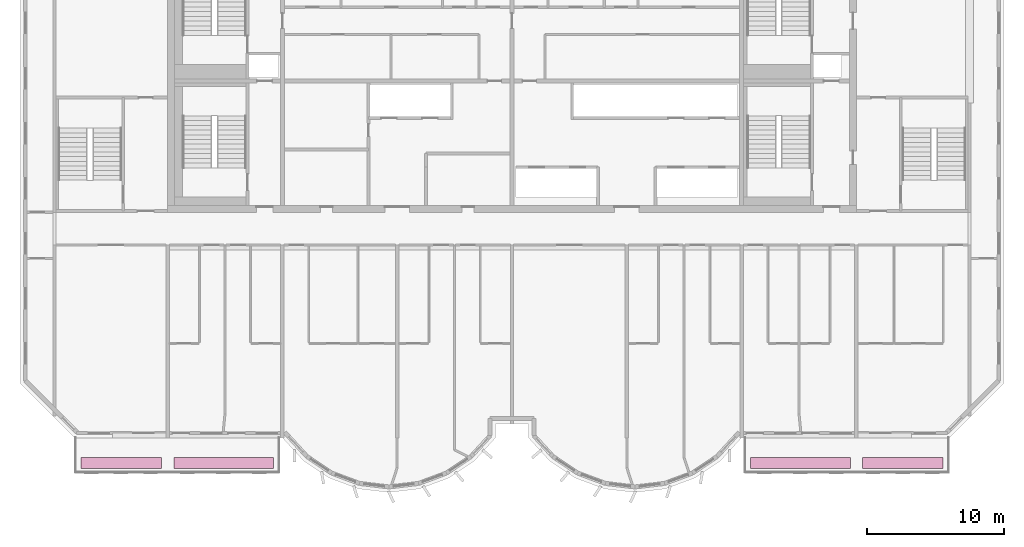
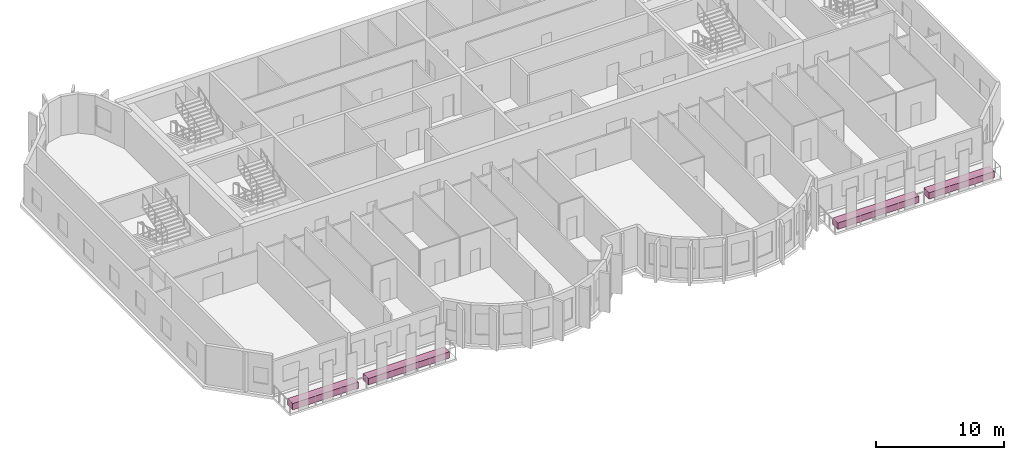
# One storey, part 11 of 11: 4 furniture elements.
"""IFC4 building model written with IfcOpenShell, lengths in metres."""

import ifcopenshell
import ifcopenshell.guid

model = None  # the IFC model being written
_history = None  # IfcOwnerHistory: only IFC2X3 demands one
_inside = {}  # id of a spatial element -> (the spatial element, [elements in it])
_under = {}  # id of a project, library or spatial element -> (it, [spatial elements below it])
_declared = {}  # id of a project -> (the project, [libraries it declares])
_typed = {}  # id of a type object -> (the type object, [elements of that type])
_made_of = {}  # id of a material, layer set ... -> (it, [elements and type objects made of it])


def new_model(schema):
    """Start an empty IFC model of exactly this schema.

    Asked for "IFC4X3", IfcOpenShell would pick the latest addendum, in which some entities
    have other attributes; the version numbers below select the first issue.
    IFC2X3 requires an IfcOwnerHistory on every rooted entity: one is made here for all.
    """
    global model, _history
    if schema == "IFC4X3":
        model = ifcopenshell.file(schema_version=(4, 3, 0, 0))
    else:
        model = ifcopenshell.file(schema=schema)
    _inside.clear()
    _under.clear()
    _declared.clear()
    _typed.clear()
    _made_of.clear()
    _history = None
    if model.schema == "IFC2X3":
        org = make("IfcOrganization", Name="unknown")
        user = make(
            "IfcPersonAndOrganization",
            ThePerson=make("IfcPerson", FamilyName="unknown"),
            TheOrganization=org,
        )
        app = make(
            "IfcApplication",
            ApplicationDeveloper=org,
            Version="unknown",
            ApplicationFullName="unknown",
            ApplicationIdentifier="unknown",
        )
        _history = make(
            "IfcOwnerHistory",
            OwningUser=user,
            OwningApplication=app,
            ChangeAction="ADDED",
            CreationDate=0,
        )
    return model


def make(cls, **values):
    """One entity of the class cls with the attributes given. An attribute that is None is left unset."""
    return model.create_entity(
        cls, **{name: value for name, value in values.items() if value is not None}
    )


def rooted(cls, **values):
    """An entity with a GlobalId (a new one), such as an element, a storey or a relation."""
    return make(cls, GlobalId=ifcopenshell.guid.new(), OwnerHistory=_history, **values)


def si_unit(unit_type, name, prefix=None):
    """IfcSIUnit, for example si_unit("LENGTHUNIT", "METRE", prefix="MILLI")."""
    return make("IfcSIUnit", UnitType=unit_type, Prefix=prefix, Name=name)


def assignment(units):
    """IfcUnitAssignment: the units of a project."""
    return None if units is None else make("IfcUnitAssignment", Units=units)


def point(xyz):
    """IfcCartesianPoint."""
    return None if xyz is None else make("IfcCartesianPoint", Coordinates=xyz)


def direction(xyz):
    """IfcDirection."""
    return None if xyz is None else make("IfcDirection", DirectionRatios=xyz)


def frame(location, z_axis=None, x_axis=None):
    """IfcAxis2Placement3D, a coordinate frame: its origin and axes. An axis left out is left unset."""
    return make(
        "IfcAxis2Placement3D",
        Location=point(location),
        Axis=direction(z_axis),
        RefDirection=direction(x_axis),
    )


def frame_2d(location, x_axis=None):
    """IfcAxis2Placement2D, a coordinate frame in the plane: its origin and x axis."""
    return make(
        "IfcAxis2Placement2D", Location=point(location), RefDirection=direction(x_axis)
    )


def origin():
    """The frame at (0, 0, 0) with its axes left unset."""
    return frame((0.0, 0.0, 0.0))


def origin_2d():
    """The frame at (0, 0) in the plane with its x axis left unset."""
    return frame_2d((0.0, 0.0))


def place(relative_to, where):
    """IfcLocalPlacement: puts the frame where relative to a parent placement (None: the world)."""
    return make(
        "IfcLocalPlacement", PlacementRelTo=relative_to, RelativePlacement=where
    )


def context(
    kind, dimensions, precision=None, world=None, true_north=None, identifier=None
):
    """IfcGeometricRepresentationContext, for example the 3D "Model" context."""
    return make(
        "IfcGeometricRepresentationContext",
        ContextIdentifier=identifier,
        ContextType=kind,
        CoordinateSpaceDimension=dimensions,
        Precision=precision,
        WorldCoordinateSystem=world,
        TrueNorth=true_north,
    )


def subcontext(parent, identifier, kind, view, scale=None):
    """IfcGeometricRepresentationSubContext, for example "Body" below "Model"."""
    return make(
        "IfcGeometricRepresentationSubContext",
        ContextIdentifier=identifier,
        ContextType=kind,
        ParentContext=parent,
        TargetScale=scale,
        TargetView=view,
    )


def project(units=None, contexts=None):
    """IfcProject with its units and contexts."""
    return rooted(
        "IfcProject",
        Name="project",
        RepresentationContexts=contexts,
        UnitsInContext=assignment(units),
    )


def spatial(cls, under=None, at=None, **own):
    """A site, building, storey or space (cls), placed at a placement, below another one or the project."""
    s = rooted(cls, ObjectPlacement=at, **own)
    if under is not None:
        _under.setdefault(under.id(), (under, []))[1].append(s)
    return s


def profile(cls, at=None, kind="AREA", **sizes):
    """A parametric profile (cls). Its sizes go by their IFC names, for example OverallWidth=200.0."""
    return make(cls, ProfileType=kind, Position=at, **sizes)


def rectangle(**sizes):
    """IfcRectangleProfileDef."""
    return profile("IfcRectangleProfileDef", **sizes)


def extrude(swept, where, along, depth):
    """IfcExtrudedAreaSolid: the profile swept, set in the frame where, extruded along a direction by depth."""
    return make(
        "IfcExtrudedAreaSolid",
        SweptArea=swept,
        Position=where,
        ExtrudedDirection=direction(along),
        Depth=depth,
    )


def shape(context_of_items, identifier, shape_type, items):
    """IfcShapeRepresentation: the items that make up one representation, for example the "Body"."""
    return make(
        "IfcShapeRepresentation",
        ContextOfItems=context_of_items,
        RepresentationIdentifier=identifier,
        RepresentationType=shape_type,
        Items=items,
    )


def source(mapping_origin, context_of_items, identifier, shape_type, items):
    """IfcRepresentationMap: a shape defined once, which mapped items show again and again."""
    return make(
        "IfcRepresentationMap",
        MappingOrigin=mapping_origin,
        MappedRepresentation=shape(context_of_items, identifier, shape_type, items),
    )


def transform(
    local_origin,
    x_axis=None,
    y_axis=None,
    z_axis=None,
    scale=None,
    scale2=None,
    scale3=None,
    uniform=True,
):
    """IfcCartesianTransformationOperator3D, or its non-uniform kind. x_axis, y_axis, z_axis: its Axis1, 2, 3."""
    if uniform:
        return make(
            "IfcCartesianTransformationOperator3D",
            Axis1=direction(x_axis),
            Axis2=direction(y_axis),
            LocalOrigin=point(local_origin),
            Scale=scale,
            Axis3=direction(z_axis),
        )
    return make(
        "IfcCartesianTransformationOperator3DnonUniform",
        Axis1=direction(x_axis),
        Axis2=direction(y_axis),
        LocalOrigin=point(local_origin),
        Scale=scale,
        Axis3=direction(z_axis),
        Scale2=scale2,
        Scale3=scale3,
    )


def mapped(mapping_source, mapping_target):
    """IfcMappedItem: shows the shape of a source again, moved by a transform."""
    return make(
        "IfcMappedItem", MappingSource=mapping_source, MappingTarget=mapping_target
    )


def material(Name=None, Category=None):
    """IfcMaterial."""
    return make("IfcMaterial", Name=Name, Category=Category)


def made_of(thing, what):
    """Note that an element or type object is made of a material, layer set ...; save() writes the relation."""
    if what is not None:
        _made_of.setdefault(what.id(), (what, []))[1].append(thing)
    return thing


def type_object(cls, material=None, **own):
    """A type object (cls), such as IfcWallType, which elements share."""
    return made_of(rooted(cls, **own), material)


def element(
    cls,
    number,
    at=None,
    inside=None,
    cuts=None,
    type_object=None,
    material=None,
    context=None,
    identifier="Body",
    shape_type=None,
    held_by="IfcProductDefinitionShape",
    body=None,
    shapes=None,
    **own,
):
    """One element of the class cls, such as IfcWall. Its Tag is "e" and its number.

    at: its placement. inside: the storey or other place that contains it. cuts: it is an
    opening in that element (IfcRelVoidsElement). A single representation is given by context,
    identifier, shape_type and body (its items); several are given by shapes. held_by: the class
    of the entity that holds the representations. save() writes the other relations.
    """
    e = rooted(cls, Tag="e%d" % number, ObjectPlacement=at, **own)
    if body is not None:
        shapes = [shape(context, identifier, shape_type, body)]
    if shapes is not None:
        e.Representation = make(held_by, Representations=shapes)
    if inside is not None:
        _inside.setdefault(inside.id(), (inside, []))[1].append(e)
    if cuts is not None:
        rooted(
            "IfcRelVoidsElement", RelatingBuildingElement=cuts, RelatedOpeningElement=e
        )
    if type_object is not None:
        _typed.setdefault(type_object.id(), (type_object, []))[1].append(e)
    return made_of(e, material)


def aggregate(whole, parts):
    """IfcRelAggregates: a whole, such as a stair, and the parts it consists of."""
    return rooted("IfcRelAggregates", RelatingObject=whole, RelatedObjects=parts)


def save(model, path):
    """Write the relations noted so far, then the file.

    IfcRelAggregates (storeys below a building ...), IfcRelContainedInSpatialStructure (elements
    in a storey), IfcRelDefinesByType, IfcRelAssociatesMaterial and IfcRelDeclares: one each for
    every whole, place, type object, material and project.
    """
    for whole, parts in _under.values():
        aggregate(whole, parts)
    for where, things in _inside.values():
        rooted(
            "IfcRelContainedInSpatialStructure",
            RelatedElements=things,
            RelatingStructure=where,
        )
    for kind, things in _typed.values():
        rooted("IfcRelDefinesByType", RelatedObjects=things, RelatingType=kind)
    for what, things in _made_of.values():
        rooted("IfcRelAssociatesMaterial", RelatedObjects=things, RelatingMaterial=what)
    for by, libraries in _declared.values():
        rooted("IfcRelDeclares", RelatingContext=by, RelatedDefinitions=libraries)
    model.write(path)


model = new_model("IFC4")

# Units and contexts
model_context = context("Model", 3, precision=1e-05, world=origin(), true_north=direction((0.0, 1.0)))
body_context = subcontext(model_context, "Body", "Model", "MODEL_VIEW")
ifc_project = project(units=[si_unit("LENGTHUNIT", "METRE"), si_unit("AREAUNIT", "SQUARE_METRE"), si_unit("VOLUMEUNIT", "CUBIC_METRE"), si_unit("PLANEANGLEUNIT", "RADIAN"), si_unit("MASSUNIT", "GRAM", prefix="KILO")], contexts=[model_context])

# Site, building, storey
site_placement = place(None, origin())
site = spatial("IfcSite", under=ifc_project, at=site_placement, CompositionType="ELEMENT")
building_placement = place(site_placement, origin())
building = spatial("IfcBuilding", under=site, at=building_placement, Name="Vanashikhar Sky Hotel", CompositionType="ELEMENT")
storey_placement = place(building_placement, frame((0.0, 0.0, 305.699951171875)))
storey = spatial("IfcBuildingStorey", under=building, at=storey_placement, Name="L73", CompositionType="ELEMENT", Elevation=305.699951171875)

# Furniture
ifc_material = material(Name="Planting soil and shrubs")
furniture_type = type_object("IfcFurnitureType", Name="Planter trough", AssemblyPlace="NOTDEFINED", PredefinedType="USERDEFINED", material=ifc_material)
shared_shape_1 = source(origin(), body_context, "Body", "SweptSolid", [
    extrude(rectangle(XDim=7.300048828125, YDim=0.800048828125, at=origin_2d()), origin(), (0.0, 0.0, 1.0), 0.60009765625),
])
for number, where, z_axis, x_axis, name in (
    (1, (29.300048828125, 3.64990234375, -0.050048828125), (0.0, 0.0, 1.0), (1.0, 0.0, 0.0), "PLANTER with climbers"),
    (2, (71.5, 3.64990234375, -0.050048828125), (0.0, 0.0, 1.0), (1.0, 0.0, 0.0), "PLANTER with climbers"),
):
    element("IfcFurniture", number, at=place(storey_placement, frame(where, z_axis=z_axis, x_axis=x_axis)), inside=storey, type_object=furniture_type, Name=name, ObjectType="PLANTER", PredefinedType="USERDEFINED", context=body_context, shape_type="MappedRepresentation", body=[
        mapped(shared_shape_1, transform((0.0, 0.0, 0.0), scale=1.0)),
    ])
shared_shape_2 = source(origin(), body_context, "Body", "SweptSolid", [
    extrude(rectangle(XDim=5.89990234375, YDim=0.800048828125, at=origin_2d()), origin(), (0.0, 0.0, 1.0), 0.60009765625),
])
for number, where, z_axis, x_axis, name in (
    (3, (21.800048828125, 3.64990234375, -0.050048828125), (0.0, 0.0, 1.0), (1.0, 0.0, 0.0), "PLANTER with climbers"),
    (4, (79.0, 3.64990234375, -0.050048828125), (0.0, 0.0, 1.0), (1.0, 0.0, 0.0), "PLANTER with climbers"),
):
    element("IfcFurniture", number, at=place(storey_placement, frame(where, z_axis=z_axis, x_axis=x_axis)), inside=storey, type_object=furniture_type, Name=name, ObjectType="PLANTER", PredefinedType="USERDEFINED", context=body_context, shape_type="MappedRepresentation", body=[
        mapped(shared_shape_2, transform((0.0, 0.0, 0.0), scale=1.0)),
    ])

save(model, "model.ifc")
